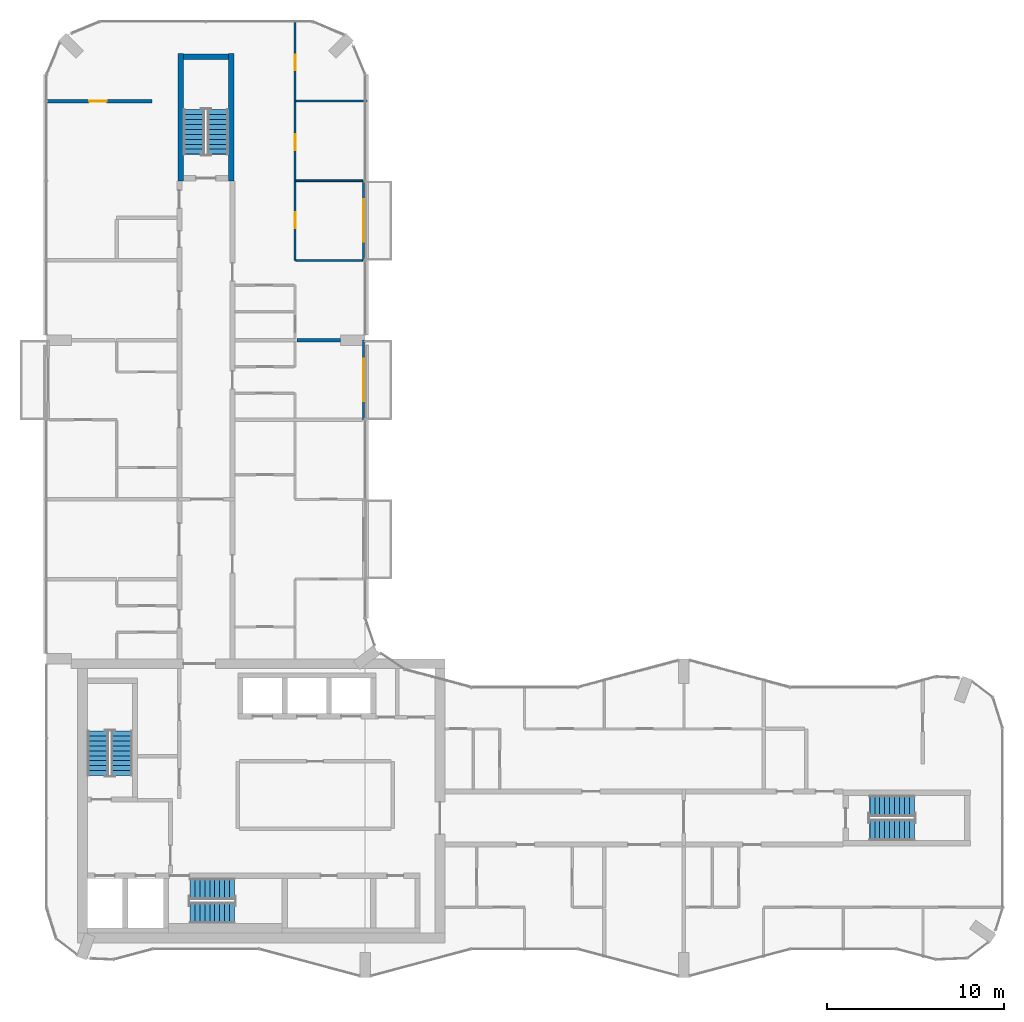
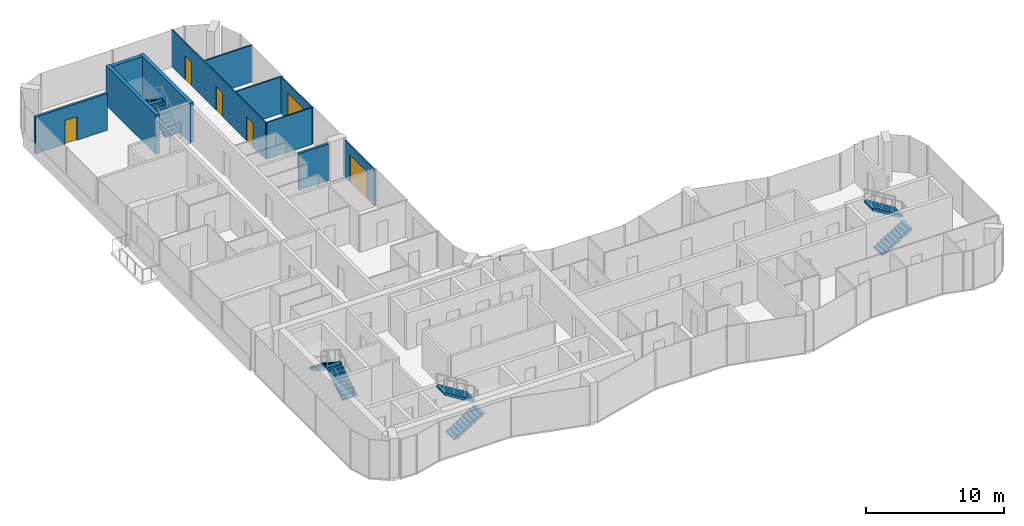
# One storey, part 13 of 15: 11 walls, 8 stair flights, 6 doors, 6 openings, 4 elements without a shape of their own.
"""IFC4 building model written with IfcOpenShell, lengths in metres."""

from ifc_helpers import new_model, si_unit, direction, frame, frame_2d, origin, place, context, subcontext, project, spatial, polyline, rectangle, outline, extrude, material, layer, layer_set, type_object, element, fill, aggregate, save


model = new_model("IFC4")

# Units and contexts
model_context = context("Model", 3, precision=1e-05, world=origin(), true_north=direction((0.0, 1.0)))
body_context = subcontext(model_context, "Body", "Model", "MODEL_VIEW")
ifc_project = project(units=[si_unit("LENGTHUNIT", "METRE"), si_unit("AREAUNIT", "SQUARE_METRE"), si_unit("VOLUMEUNIT", "CUBIC_METRE"), si_unit("PLANEANGLEUNIT", "RADIAN"), si_unit("MASSUNIT", "GRAM", prefix="KILO")], contexts=[model_context])

# Site, building, storey
site_placement = place(None, origin())
site = spatial("IfcSite", under=ifc_project, at=site_placement, CompositionType="ELEMENT")
building_placement = place(site_placement, origin())
building = spatial("IfcBuilding", under=site, at=building_placement, Name="Plateau Cross Towers", CompositionType="ELEMENT")
storey_placement = place(building_placement, frame((0.0, 0.0, 204.89990234375)))
storey = spatial("IfcBuildingStorey", under=building, at=storey_placement, Name="L53", CompositionType="ELEMENT", Elevation=204.89990234375)

# Wall, opening, door
ifc_material_1 = material(Name="Aluminium framed glazing", Category="aluminium")
ifc_layer_1 = layer(ifc_material_1, 0.10009765625)
ifc_layer_set_1 = layer_set([ifc_layer_1], Name="Aluminium framed glazing")
wall_type_1 = type_object("IfcWallType", Name="Balcony screen wall 100", PredefinedType="STANDARD", material=ifc_layer_set_1)
wall_1_placement = place(storey_placement, frame((17.89990234375, 36.0, 0.0), z_axis=(0.0, 0.0, 1.0), x_axis=(0.0, -1.0, 0.0)))
wall_1 = element("IfcWall", 1, at=wall_1_placement, inside=storey, type_object=wall_type_1, Name="Balcony screen wall A-BAL-L53-03", PredefinedType="STANDARD", context=body_context, shape_type="SweptSolid", body=[
    extrude(rectangle(XDim=4.5, YDim=0.10009765625, at=frame_2d((2.25, 0.0))), origin(), (0.0, 0.0, 1.0), 3.25),
])
opening_1_placement = place(wall_1_placement, frame((1.050048828125, 0.0, 0.0)))
opening_1 = element("IfcOpeningElement", 2, at=opening_1_placement, cuts=wall_1, Name="Opening D-B24", PredefinedType="OPENING", context=body_context, shape_type="SweptSolid", body=[
    extrude(rectangle(XDim=2.39990234375, YDim=2.39990234375, at=frame_2d((1.199951171875, 1.199951171875))), frame((0.0, 0.06005859375, 0.0), z_axis=(0.0, -1.0, 0.0), x_axis=(1.0, 0.0, 0.0)), (0.0, 0.0, 1.0), 0.1201171875),
])
ifc_material_2 = material(Name="Aluminium frame, double glazing", Category="aluminium")
door_type_1 = type_object("IfcDoorType", Name="Balcony sliding door 2400", OperationType="NOTDEFINED", PredefinedType="DOOR", material=ifc_material_2)
door_1_placement = place(opening_1_placement, origin())
door_1 = element("IfcDoor", 3, at=door_1_placement, inside=storey, type_object=door_type_1, Name="Balcony door A-BAL-L53-03", OperationType="SINGLE_SWING_LEFT", OverallHeight=2.39990234375, OverallWidth=2.39990234375, PredefinedType="DOOR", context=body_context, shape_type="SweptSolid", body=[
    extrude(rectangle(XDim=2.39990234375, YDim=2.39990234375, at=frame_2d((1.199951171875, 1.199951171875))), frame((0.0, 0.02490234375, 0.0), z_axis=(0.0, -1.0, 0.0), x_axis=(1.0, 0.0, 0.0)), (0.0, 0.0, 1.0), 0.050048828125),
])
fill(opening_1, door_1)

wall_2_placement = place(storey_placement, frame((17.89990234375, 45.0, 0.0), z_axis=(0.0, 0.0, 1.0), x_axis=(0.0, -1.0, 0.0)))
wall_2 = element("IfcWall", 4, at=wall_2_placement, inside=storey, type_object=wall_type_1, Name="Balcony screen wall A-BAL-L53-04", PredefinedType="STANDARD", context=body_context, shape_type="SweptSolid", body=[
    extrude(rectangle(XDim=4.5, YDim=0.10009765625, at=frame_2d((2.25, 0.0))), origin(), (0.0, 0.0, 1.0), 3.25),
])
opening_2_placement = place(wall_2_placement, frame((1.050048828125, 0.0, 0.0)))
opening_2 = element("IfcOpeningElement", 5, at=opening_2_placement, cuts=wall_2, Name="Opening D-B24", PredefinedType="OPENING", context=body_context, shape_type="SweptSolid", body=[
    extrude(rectangle(XDim=2.39990234375, YDim=2.39990234375, at=frame_2d((1.199951171875, 1.199951171875))), frame((0.0, 0.06005859375, 0.0), z_axis=(0.0, -1.0, 0.0), x_axis=(1.0, 0.0, 0.0)), (0.0, 0.0, 1.0), 0.1201171875),
])
door_2_placement = place(opening_2_placement, origin())
door_2 = element("IfcDoor", 6, at=door_2_placement, inside=storey, type_object=door_type_1, Name="Balcony door A-BAL-L53-04", OperationType="SINGLE_SWING_LEFT", OverallHeight=2.39990234375, OverallWidth=2.39990234375, PredefinedType="DOOR", context=body_context, shape_type="SweptSolid", body=[
    extrude(rectangle(XDim=2.39990234375, YDim=2.39990234375, at=frame_2d((1.199951171875, 1.199951171875))), frame((0.0, 0.02490234375, 0.0), z_axis=(0.0, -1.0, 0.0), x_axis=(1.0, 0.0, 0.0)), (0.0, 0.0, 1.0), 0.050048828125),
])
fill(opening_2, door_2)

# Walls
ifc_material_3 = material(Name="Gypsum board on steel studs", Category="steel")
ifc_layer_2 = layer(ifc_material_3, 0.10009765625)
ifc_layer_set_2 = layer_set([ifc_layer_2], Name="Gypsum board on steel studs")
wall_type_2 = type_object("IfcWallType", Name="Flat partition 100", PredefinedType="PARTITIONING", material=ifc_layer_set_2)
for number, where, z_axis, x_axis, name in (
    (7, (14.08740234375, 40.5, 0.0), (0.0, 0.0, 1.0), (1.0, 0.0, 0.0), "Partition wall"),
    (8, (17.85009765625, 45.0, 0.0), (0.0, 0.0, 1.0), (-1.0, 0.0, 0.0), "Partition wall"),
):
    element("IfcWall", number, at=place(storey_placement, frame(where, z_axis=z_axis, x_axis=x_axis)), inside=storey, type_object=wall_type_2, Name=name, PredefinedType="PARTITIONING", context=body_context, shape_type="SweptSolid", body=[
        extrude(rectangle(XDim=3.7626953125, YDim=0.10009765625, at=frame_2d((1.88134765625, 0.0))), origin(), (0.0, 0.0, 1.0), 3.25),
    ])
wall_3_placement = place(storey_placement, frame((18.080078125, 49.5, 0.0), z_axis=(0.0, 0.0, 1.0), x_axis=(-1.0, 0.0, 0.0)))
element("IfcWall", 9, at=wall_3_placement, inside=storey, type_object=wall_type_2, Name="Partition wall", PredefinedType="PARTITIONING", context=body_context, shape_type="SweptSolid", body=[
    extrude(rectangle(XDim=3.99267578125, YDim=0.10009765625, at=frame_2d((1.996337890625, 0.0))), origin(), (0.0, 0.0, 1.0), 3.25),
])

# Wall, openings, doors
wall_4_placement = place(storey_placement, frame((14.03759765625, 54.080078125, 0.0), z_axis=(0.0, 0.0, 1.0), x_axis=(0.0, -1.0, 0.0)))
wall_4 = element("IfcWall", 10, at=wall_4_placement, inside=storey, type_object=wall_type_2, Name="Partition wall", PredefinedType="PARTITIONING", context=body_context, shape_type="SweptSolid", body=[
    extrude(rectangle(XDim=13.580078125, YDim=0.10009765625, at=frame_2d((6.7900390625, 0.0))), origin(), (0.0, 0.0, 1.0), 3.25),
])
opening_3_placement = place(wall_4_placement, frame((10.85009765625, 0.0, 0.0)))
opening_3 = element("IfcOpeningElement", 11, at=opening_3_placement, cuts=wall_4, Name="Opening 53-46", PredefinedType="OPENING", context=body_context, shape_type="SweptSolid", body=[
    extrude(rectangle(XDim=0.89990234375, YDim=2.10009765625, at=frame_2d((0.449951171875, 1.050048828125))), frame((0.0, 0.06005859375, 0.0), z_axis=(0.0, -1.0, 0.0), x_axis=(1.0, 0.0, 0.0)), (0.0, 0.0, 1.0), 0.1201171875),
])
opening_4_placement = place(wall_4_placement, frame((6.449951171875, 0.0, 0.0)))
opening_4 = element("IfcOpeningElement", 12, at=opening_4_placement, cuts=wall_4, Name="Opening 53-47", PredefinedType="OPENING", context=body_context, shape_type="SweptSolid", body=[
    extrude(rectangle(XDim=0.89990234375, YDim=2.10009765625, at=frame_2d((0.449951171875, 1.050048828125))), frame((0.0, 0.06005859375, 0.0), z_axis=(0.0, -1.0, 0.0), x_axis=(1.0, 0.0, 0.0)), (0.0, 0.0, 1.0), 0.1201171875),
])
opening_5_placement = place(wall_4_placement, frame((1.949951171875, 0.0, 0.0)))
opening_5 = element("IfcOpeningElement", 13, at=opening_5_placement, cuts=wall_4, Name="Opening 53-48", PredefinedType="OPENING", context=body_context, shape_type="SweptSolid", body=[
    extrude(rectangle(XDim=0.89990234375, YDim=2.10009765625, at=frame_2d((0.449951171875, 1.050048828125))), frame((0.0, 0.06005859375, 0.0), z_axis=(0.0, -1.0, 0.0), x_axis=(1.0, 0.0, 0.0)), (0.0, 0.0, 1.0), 0.1201171875),
])
ifc_material_4 = material(Name="Timber leaf", Category="wood")
door_type_2 = type_object("IfcDoorType", Name="Flat room door 900", OperationType="NOTDEFINED", PredefinedType="DOOR", material=ifc_material_4)
door_3_placement = place(opening_3_placement, origin())
door_3 = element("IfcDoor", 14, at=door_3_placement, inside=storey, type_object=door_type_2, Name="Door 53-46", OperationType="SINGLE_SWING_RIGHT", OverallHeight=2.10009765625, OverallWidth=0.89990234375, PredefinedType="DOOR", context=body_context, shape_type="SweptSolid", body=[
    extrude(rectangle(XDim=0.89990234375, YDim=2.10009765625, at=frame_2d((0.449951171875, 1.050048828125))), frame((0.0, 0.02490234375, 0.0), z_axis=(0.0, -1.0, 0.0), x_axis=(1.0, 0.0, 0.0)), (0.0, 0.0, 1.0), 0.050048828125),
])
fill(opening_3, door_3)
door_4_placement = place(opening_4_placement, origin())
door_4 = element("IfcDoor", 15, at=door_4_placement, inside=storey, type_object=door_type_2, Name="Door 53-47", OperationType="SINGLE_SWING_RIGHT", OverallHeight=2.10009765625, OverallWidth=0.89990234375, PredefinedType="DOOR", context=body_context, shape_type="SweptSolid", body=[
    extrude(rectangle(XDim=0.89990234375, YDim=2.10009765625, at=frame_2d((0.449951171875, 1.050048828125))), frame((0.0, 0.02490234375, 0.0), z_axis=(0.0, -1.0, 0.0), x_axis=(1.0, 0.0, 0.0)), (0.0, 0.0, 1.0), 0.050048828125),
])
fill(opening_4, door_4)
door_5_placement = place(opening_5_placement, origin())
door_5 = element("IfcDoor", 16, at=door_5_placement, inside=storey, type_object=door_type_2, Name="Door 53-48", OperationType="SINGLE_SWING_LEFT", OverallHeight=2.10009765625, OverallWidth=0.89990234375, PredefinedType="DOOR", context=body_context, shape_type="SweptSolid", body=[
    extrude(rectangle(XDim=0.89990234375, YDim=2.10009765625, at=frame_2d((0.449951171875, 1.050048828125))), frame((0.0, 0.02490234375, 0.0), z_axis=(0.0, -1.0, 0.0), x_axis=(1.0, 0.0, 0.0)), (0.0, 0.0, 1.0), 0.050048828125),
])
fill(opening_5, door_5)

# Wall
ifc_material_5 = material(Name="Gypsum board on steel studs, two layers each side", Category="steel")
ifc_layer_3 = layer(ifc_material_5, 0.199951171875)
ifc_layer_set_3 = layer_set([ifc_layer_3], Name="Gypsum board on steel studs, two layers each side")
wall_type_3 = type_object("IfcWallType", Name="Flat party wall 200", PredefinedType="PARTITIONING", material=ifc_layer_set_3)
wall_5_placement = place(storey_placement, frame((14.137451171875, 36.0, 0.0), z_axis=(0.0, 0.0, 1.0), x_axis=(1.0, 0.0, 0.0)))
element("IfcWall", 17, at=wall_5_placement, inside=storey, type_object=wall_type_3, Name="Party wall", PredefinedType="PARTITIONING", context=body_context, shape_type="SweptSolid", body=[
    extrude(rectangle(XDim=2.462646484375, YDim=0.199951171875, at=frame_2d((1.2314453125, 0.0))), origin(), (0.0, 0.0, 1.0), 3.25),
])

# Wall, opening, door
wall_6_placement = place(storey_placement, frame((5.949951171875, 49.5, 0.0), z_axis=(0.0, 0.0, 1.0), x_axis=(-1.0, 0.0, 0.0)))
wall_6 = element("IfcWall", 18, at=wall_6_placement, inside=storey, type_object=wall_type_3, Name="Party wall", PredefinedType="PARTITIONING", context=body_context, shape_type="SweptSolid", body=[
    extrude(rectangle(XDim=6.030029296875, YDim=0.199951171875, at=frame_2d((3.01513671875, 0.0))), origin(), (0.0, 0.0, 1.0), 3.25),
])
opening_6_placement = place(wall_6_placement, frame((2.550048828125, 0.0, 0.0)))
opening_6 = element("IfcOpeningElement", 19, at=opening_6_placement, cuts=wall_6, Name="Opening 53-19", PredefinedType="OPENING", context=body_context, shape_type="SweptSolid", body=[
    extrude(rectangle(XDim=1.0, YDim=2.10009765625, at=frame_2d((0.5, 1.050048828125))), frame((0.0, 0.10986328125, 0.0), z_axis=(0.0, -1.0, 0.0), x_axis=(1.0, 0.0, 0.0)), (0.0, 0.0, 1.0), 0.219970703125),
])
ifc_material_6 = material(Name="Timber, fire-resisting leaf", Category="wood")
door_type_3 = type_object("IfcDoorType", Name="Flat entrance door 1000", OperationType="NOTDEFINED", PredefinedType="DOOR", material=ifc_material_6)
door_6_placement = place(opening_6_placement, origin())
door_6 = element("IfcDoor", 20, at=door_6_placement, inside=storey, type_object=door_type_3, Name="Door 53-19", OperationType="SINGLE_SWING_RIGHT", OverallHeight=2.10009765625, OverallWidth=1.0, PredefinedType="DOOR", context=body_context, shape_type="SweptSolid", body=[
    extrude(rectangle(XDim=1.0, YDim=2.10009765625, at=frame_2d((0.5, 1.050048828125))), frame((0.0, 0.02490234375, 0.0), z_axis=(0.0, -1.0, 0.0), x_axis=(1.0, 0.0, 0.0)), (0.0, 0.0, 1.0), 0.050048828125),
])
fill(opening_6, door_6)

# Walls
ifc_material_7 = material(Name="Concrete C60/75", Category="concrete")
ifc_layer_4 = layer(ifc_material_7, 0.300048828125)
ifc_layer_set_4 = layer_set([ifc_layer_4], Name="Concrete C60/75")
wall_type_4 = type_object("IfcWallType", Name="Stair tower wall 300", PredefinedType="SHEAR", material=ifc_layer_set_4)
wall_7_placement = place(storey_placement, frame((7.72509765625, 52.0, 0.0), z_axis=(0.0, 0.0, 1.0), x_axis=(1.0, 0.0, 0.0)))
element("IfcWall", 21, at=wall_7_placement, inside=storey, type_object=wall_type_4, Name="A-end-N-N@L53", PredefinedType="SHEAR", context=body_context, shape_type="SweptSolid", body=[
    extrude(rectangle(XDim=2.5498046875, YDim=0.300048828125, at=frame_2d((1.27490234375, 0.0))), origin(), (0.0, 0.0, 1.0), 3.5),
])
for number, where, z_axis, x_axis, name in (
    (22, (7.574951171875, 45.0, 0.0), (0.0, 0.0, 1.0), (0.0, 1.0, 0.0), "A-end-N-W@L53"),
    (23, (10.425048828125, 45.0, 0.0), (0.0, 0.0, 1.0), (0.0, 1.0, 0.0), "A-end-N-E@L53"),
):
    element("IfcWall", number, at=place(storey_placement, frame(where, z_axis=z_axis, x_axis=x_axis)), inside=storey, type_object=wall_type_4, Name=name, PredefinedType="SHEAR", context=body_context, shape_type="SweptSolid", body=[
        extrude(rectangle(XDim=7.199951171875, YDim=0.300048828125, at=frame_2d((3.60009765625, 0.0))), origin(), (0.0, 0.0, 1.0), 3.5),
    ])

# Stair, stair flights
ifc_material_8 = material(Name="Concrete C40/50", Category="concrete")
stair_type = type_object("IfcStairType", Name="ST-TWR", PredefinedType="HALF_TURN_STAIR", material=ifc_material_8)
stair_1_placement = place(storey_placement, origin())
stair_1 = element("IfcStair", 24, at=stair_1_placement, inside=storey, type_object=stair_type, Name="L53 Protected Exit Stair ST-1", PredefinedType="HALF_TURN_STAIR")
stair_flight_type = type_object("IfcStairFlightType", Name="SFL-RC", PredefinedType="STRAIGHT", material=ifc_material_8)
stair_flight_1_placement = place(storey_placement, frame((4.25, 11.39990234375, 0.0), z_axis=(0.0, 0.0, 1.0), x_axis=(0.0, 1.0, 0.0)))
stair_flight_1 = element("IfcStairFlight", 25, at=stair_flight_1_placement, type_object=stair_flight_type, Name="ST-1 flight 1", NumberOfRisers=10, NumberOfTreads=9, PredefinedType="STRAIGHT", RiserHeight=0.175, TreadLength=0.28, context=body_context, shape_type="SweptSolid", body=[
    extrude(outline(polyline([(-0.0048828125, -0.010009765625), (-0.0048828125, 0.0), (0.0, 0.0), (0.0, 0.175048828125), (0.280029296875, 0.175048828125), (0.280029296875, 0.35009765625), (0.56005859375, 0.35009765625), (0.56005859375, 0.52490234375), (0.840087890625, 0.52490234375), (0.840087890625, 0.699951171875), (1.1201171875, 0.699951171875), (1.1201171875, 0.875), (1.39990234375, 0.875), (1.39990234375, 1.050048828125), (1.679931640625, 1.050048828125), (1.679931640625, 1.22509765625), (1.9599609375, 1.22509765625), (1.9599609375, 1.39990234375), (2.239990234375, 1.39990234375), (2.239990234375, 1.574951171875), (2.52001953125, 1.574951171875), (2.52490234375, 1.56494140625), (2.52490234375, 1.398193359375), (2.52001953125, 1.398193359375), (0.28271484375, 0.0), (0.02001953125, 0.0), (0.02001953125, -0.010009765625), (-0.0048828125, -0.010009765625)])), frame((0.0, 0.60009765625, 0.0), z_axis=(0.0, -1.0, 0.0), x_axis=(1.0, 0.0, 0.0)), (0.0, 0.0, 1.0), 1.199951171875),
])
stair_flight_2_placement = place(storey_placement, frame((2.89990234375, 13.919921875, 1.75), z_axis=(0.0, 0.0, 1.0), x_axis=(0.0, -1.0, 0.0)))
stair_flight_2 = element("IfcStairFlight", 26, at=stair_flight_2_placement, type_object=stair_flight_type, Name="ST-1 flight 2", NumberOfRisers=10, NumberOfTreads=9, PredefinedType="STRAIGHT", RiserHeight=0.175, TreadLength=0.28, context=body_context, shape_type="SweptSolid", body=[
    extrude(outline(polyline([(-0.0048828125, -0.010009765625), (-0.0048828125, 0.0), (0.0, 0.0), (0.0, 0.175048828125), (0.280029296875, 0.175048828125), (0.280029296875, 0.35009765625), (0.56005859375, 0.35009765625), (0.56005859375, 0.52490234375), (0.840087890625, 0.52490234375), (0.840087890625, 0.699951171875), (1.1201171875, 0.699951171875), (1.1201171875, 0.875), (1.39990234375, 0.875), (1.39990234375, 1.050048828125), (1.679931640625, 1.050048828125), (1.679931640625, 1.22509765625), (1.9599609375, 1.22509765625), (1.9599609375, 1.39990234375), (2.239990234375, 1.39990234375), (2.239990234375, 1.574951171875), (2.52001953125, 1.574951171875), (2.52490234375, 1.56494140625), (2.52490234375, 1.398193359375), (2.52001953125, 1.398193359375), (0.28271484375, 0.0), (0.02001953125, 0.0), (0.02001953125, -0.010009765625), (-0.0048828125, -0.010009765625)])), frame((0.0, 0.60009765625, 0.0), z_axis=(0.0, -1.0, 0.0), x_axis=(1.0, 0.0, 0.0)), (0.0, 0.0, 1.0), 1.199951171875),
])
aggregate(stair_1, [stair_flight_1, stair_flight_2])

stair_2_placement = place(storey_placement, origin())
stair_2 = element("IfcStair", 27, at=stair_2_placement, inside=storey, type_object=stair_type, Name="L53 Protected Exit Stair ST-2", PredefinedType="HALF_TURN_STAIR")
stair_flight_3_placement = place(storey_placement, frame((8.10009765625, 3.64990234375, 0.0), z_axis=(0.0, 0.0, 1.0), x_axis=(1.0, 0.0, 0.0)))
stair_flight_3 = element("IfcStairFlight", 28, at=stair_flight_3_placement, type_object=stair_flight_type, Name="ST-2 flight 1", NumberOfRisers=10, NumberOfTreads=9, PredefinedType="STRAIGHT", RiserHeight=0.175, TreadLength=0.28, context=body_context, shape_type="SweptSolid", body=[
    extrude(outline(polyline([(-0.0048828125, -0.010009765625), (-0.0048828125, 0.0), (0.0, 0.0), (0.0, 0.175048828125), (0.280029296875, 0.175048828125), (0.280029296875, 0.35009765625), (0.56005859375, 0.35009765625), (0.56005859375, 0.52490234375), (0.840087890625, 0.52490234375), (0.840087890625, 0.699951171875), (1.1201171875, 0.699951171875), (1.1201171875, 0.875), (1.39990234375, 0.875), (1.39990234375, 1.050048828125), (1.679931640625, 1.050048828125), (1.679931640625, 1.22509765625), (1.9599609375, 1.22509765625), (1.9599609375, 1.39990234375), (2.239990234375, 1.39990234375), (2.239990234375, 1.574951171875), (2.52001953125, 1.574951171875), (2.52490234375, 1.56494140625), (2.52490234375, 1.398193359375), (2.52001953125, 1.398193359375), (0.28271484375, 0.0), (0.02001953125, 0.0), (0.02001953125, -0.010009765625), (-0.0048828125, -0.010009765625)])), frame((0.0, 0.60009765625, 0.0), z_axis=(0.0, -1.0, 0.0), x_axis=(1.0, 0.0, 0.0)), (0.0, 0.0, 1.0), 1.199951171875),
])
stair_flight_4_placement = place(storey_placement, frame((10.6201171875, 5.0, 1.75), z_axis=(0.0, 0.0, 1.0), x_axis=(-1.0, 0.0, 0.0)))
stair_flight_4 = element("IfcStairFlight", 29, at=stair_flight_4_placement, type_object=stair_flight_type, Name="ST-2 flight 2", NumberOfRisers=10, NumberOfTreads=9, PredefinedType="STRAIGHT", RiserHeight=0.175, TreadLength=0.28, context=body_context, shape_type="SweptSolid", body=[
    extrude(outline(polyline([(-0.0048828125, -0.010009765625), (-0.0048828125, 0.0), (0.0, 0.0), (0.0, 0.175048828125), (0.280029296875, 0.175048828125), (0.280029296875, 0.35009765625), (0.56005859375, 0.35009765625), (0.56005859375, 0.52490234375), (0.840087890625, 0.52490234375), (0.840087890625, 0.699951171875), (1.1201171875, 0.699951171875), (1.1201171875, 0.875), (1.39990234375, 0.875), (1.39990234375, 1.050048828125), (1.679931640625, 1.050048828125), (1.679931640625, 1.22509765625), (1.9599609375, 1.22509765625), (1.9599609375, 1.39990234375), (2.239990234375, 1.39990234375), (2.239990234375, 1.574951171875), (2.52001953125, 1.574951171875), (2.52490234375, 1.56494140625), (2.52490234375, 1.398193359375), (2.52001953125, 1.398193359375), (0.28271484375, 0.0), (0.02001953125, 0.0), (0.02001953125, -0.010009765625), (-0.0048828125, -0.010009765625)])), frame((0.0, 0.60009765625, 0.0), z_axis=(0.0, -1.0, 0.0), x_axis=(1.0, 0.0, 0.0)), (0.0, 0.0, 1.0), 1.199951171875),
])
aggregate(stair_2, [stair_flight_3, stair_flight_4])

stair_3_placement = place(storey_placement, origin())
stair_3 = element("IfcStair", 30, at=stair_3_placement, inside=storey, type_object=stair_type, Name="L53 Protected Exit Stair E", PredefinedType="HALF_TURN_STAIR")
stair_flight_5_placement = place(storey_placement, frame((46.5, 8.324951171875, 0.0), z_axis=(0.0, 0.0, 1.0), x_axis=(1.0, 0.0, 0.0)))
stair_flight_5 = element("IfcStairFlight", 31, at=stair_flight_5_placement, type_object=stair_flight_type, Name="ES-E flight 1", NumberOfRisers=10, NumberOfTreads=9, PredefinedType="STRAIGHT", RiserHeight=0.175, TreadLength=0.28, context=body_context, shape_type="SweptSolid", body=[
    extrude(outline(polyline([(-0.0048828125, -0.010009765625), (-0.0048828125, 0.0), (0.0, 0.0), (0.0, 0.175048828125), (0.280029296875, 0.175048828125), (0.280029296875, 0.35009765625), (0.56005859375, 0.35009765625), (0.56005859375, 0.52490234375), (0.840087890625, 0.52490234375), (0.840087890625, 0.699951171875), (1.1201171875, 0.699951171875), (1.1201171875, 0.875), (1.39990234375, 0.875), (1.39990234375, 1.050048828125), (1.679931640625, 1.050048828125), (1.679931640625, 1.22509765625), (1.9599609375, 1.22509765625), (1.9599609375, 1.39990234375), (2.239990234375, 1.39990234375), (2.239990234375, 1.574951171875), (2.52001953125, 1.574951171875), (2.52490234375, 1.56494140625), (2.52490234375, 1.398193359375), (2.52001953125, 1.398193359375), (0.28271484375, 0.0), (0.02001953125, 0.0), (0.02001953125, -0.010009765625), (-0.0048828125, -0.010009765625)])), frame((0.0, 0.60009765625, 0.0), z_axis=(0.0, -1.0, 0.0), x_axis=(1.0, 0.0, 0.0)), (0.0, 0.0, 1.0), 1.199951171875),
])
stair_flight_6_placement = place(storey_placement, frame((49.02001953125, 9.675048828125, 1.75), z_axis=(0.0, 0.0, 1.0), x_axis=(-1.0, 0.0, 0.0)))
stair_flight_6 = element("IfcStairFlight", 32, at=stair_flight_6_placement, type_object=stair_flight_type, Name="ES-E flight 2", NumberOfRisers=10, NumberOfTreads=9, PredefinedType="STRAIGHT", RiserHeight=0.175, TreadLength=0.28, context=body_context, shape_type="SweptSolid", body=[
    extrude(outline(polyline([(-0.0048828125, -0.010009765625), (-0.0048828125, 0.0), (0.0, 0.0), (0.0, 0.175048828125), (0.280029296875, 0.175048828125), (0.280029296875, 0.35009765625), (0.56005859375, 0.35009765625), (0.56005859375, 0.52490234375), (0.840087890625, 0.52490234375), (0.840087890625, 0.699951171875), (1.1201171875, 0.699951171875), (1.1201171875, 0.875), (1.39990234375, 0.875), (1.39990234375, 1.050048828125), (1.679931640625, 1.050048828125), (1.679931640625, 1.22509765625), (1.9599609375, 1.22509765625), (1.9599609375, 1.39990234375), (2.239990234375, 1.39990234375), (2.239990234375, 1.574951171875), (2.52001953125, 1.574951171875), (2.52490234375, 1.56494140625), (2.52490234375, 1.398193359375), (2.52001953125, 1.398193359375), (0.28271484375, 0.0), (0.02001953125, 0.0), (0.02001953125, -0.010009765625), (-0.0048828125, -0.010009765625)])), frame((0.0, 0.60009765625, 0.0), z_axis=(0.0, -1.0, 0.0), x_axis=(1.0, 0.0, 0.0)), (0.0, 0.0, 1.0), 1.199951171875),
])
aggregate(stair_3, [stair_flight_5, stair_flight_6])

stair_4_placement = place(storey_placement, origin())
stair_4 = element("IfcStair", 33, at=stair_4_placement, inside=storey, type_object=stair_type, Name="L53 Protected Exit Stair N", PredefinedType="HALF_TURN_STAIR")
stair_flight_7_placement = place(storey_placement, frame((9.675048828125, 46.5, 0.0), z_axis=(0.0, 0.0, 1.0), x_axis=(0.0, 1.0, 0.0)))
stair_flight_7 = element("IfcStairFlight", 34, at=stair_flight_7_placement, type_object=stair_flight_type, Name="ES-N flight 1", NumberOfRisers=10, NumberOfTreads=9, PredefinedType="STRAIGHT", RiserHeight=0.175, TreadLength=0.28, context=body_context, shape_type="SweptSolid", body=[
    extrude(outline(polyline([(-0.0048828125, -0.010009765625), (-0.0048828125, 0.0), (0.0, 0.0), (0.0, 0.175048828125), (0.280029296875, 0.175048828125), (0.280029296875, 0.35009765625), (0.56005859375, 0.35009765625), (0.56005859375, 0.52490234375), (0.840087890625, 0.52490234375), (0.840087890625, 0.699951171875), (1.1201171875, 0.699951171875), (1.1201171875, 0.875), (1.39990234375, 0.875), (1.39990234375, 1.050048828125), (1.679931640625, 1.050048828125), (1.679931640625, 1.22509765625), (1.9599609375, 1.22509765625), (1.9599609375, 1.39990234375), (2.239990234375, 1.39990234375), (2.239990234375, 1.574951171875), (2.52001953125, 1.574951171875), (2.52490234375, 1.56494140625), (2.52490234375, 1.398193359375), (2.52001953125, 1.398193359375), (0.28271484375, 0.0), (0.02001953125, 0.0), (0.02001953125, -0.010009765625), (-0.0048828125, -0.010009765625)])), frame((0.0, 0.60009765625, 0.0), z_axis=(0.0, -1.0, 0.0), x_axis=(1.0, 0.0, 0.0)), (0.0, 0.0, 1.0), 1.199951171875),
])
stair_flight_8_placement = place(storey_placement, frame((8.324951171875, 49.02001953125, 1.75), z_axis=(0.0, 0.0, 1.0), x_axis=(0.0, -1.0, 0.0)))
stair_flight_8 = element("IfcStairFlight", 35, at=stair_flight_8_placement, type_object=stair_flight_type, Name="ES-N flight 2", NumberOfRisers=10, NumberOfTreads=9, PredefinedType="STRAIGHT", RiserHeight=0.175, TreadLength=0.28, context=body_context, shape_type="SweptSolid", body=[
    extrude(outline(polyline([(-0.0048828125, -0.010009765625), (-0.0048828125, 0.0), (0.0, 0.0), (0.0, 0.175048828125), (0.280029296875, 0.175048828125), (0.280029296875, 0.35009765625), (0.56005859375, 0.35009765625), (0.56005859375, 0.52490234375), (0.840087890625, 0.52490234375), (0.840087890625, 0.699951171875), (1.1201171875, 0.699951171875), (1.1201171875, 0.875), (1.39990234375, 0.875), (1.39990234375, 1.050048828125), (1.679931640625, 1.050048828125), (1.679931640625, 1.22509765625), (1.9599609375, 1.22509765625), (1.9599609375, 1.39990234375), (2.239990234375, 1.39990234375), (2.239990234375, 1.574951171875), (2.52001953125, 1.574951171875), (2.52490234375, 1.56494140625), (2.52490234375, 1.398193359375), (2.52001953125, 1.398193359375), (0.28271484375, 0.0), (0.02001953125, 0.0), (0.02001953125, -0.010009765625), (-0.0048828125, -0.010009765625)])), frame((0.0, 0.60009765625, 0.0), z_axis=(0.0, -1.0, 0.0), x_axis=(1.0, 0.0, 0.0)), (0.0, 0.0, 1.0), 1.199951171875),
])
aggregate(stair_4, [stair_flight_7, stair_flight_8])

save(model, "model.ifc")
